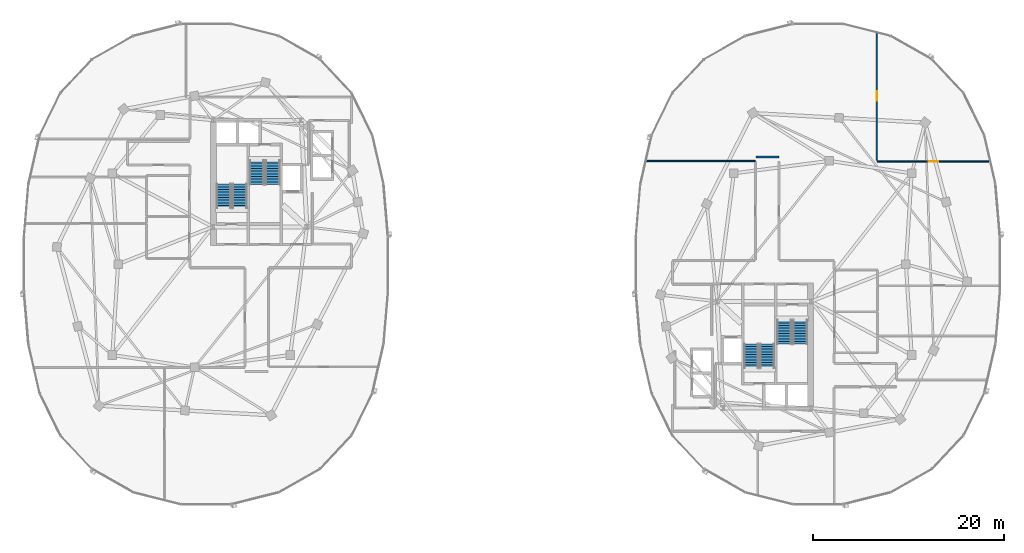
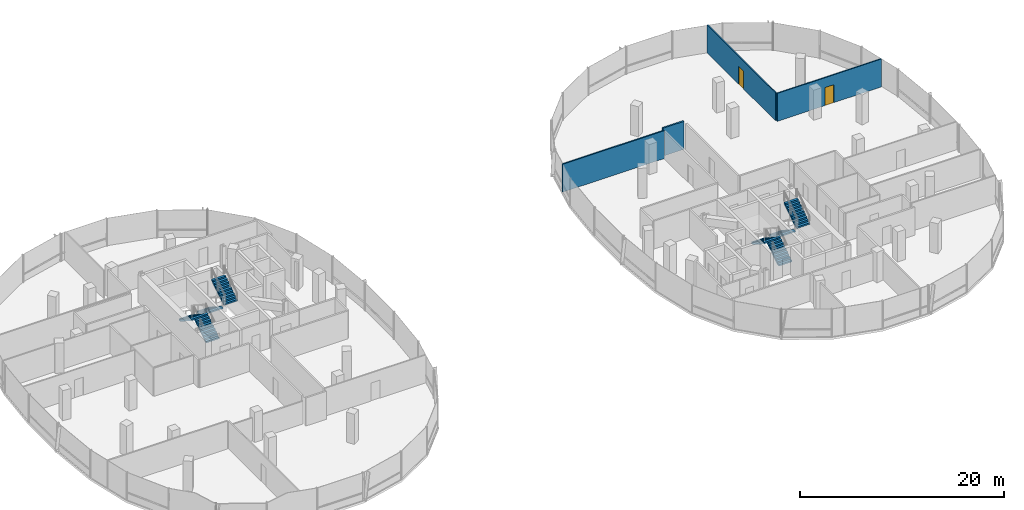
# One storey, part 18 of 25: 8 stair flights, 4 walls, 2 doors, 2 openings, 4 elements without a shape of their own.
"""IFC4 building model written with IfcOpenShell, lengths in metres."""

from ifc_helpers import new_model, si_unit, direction, frame, frame_2d, origin, place, context, subcontext, project, spatial, polyline, rectangle, outline, extrude, material, layer, layer_set, type_object, element, fill, aggregate, save


model = new_model("IFC4")

# Units and contexts
model_context = context("Model", 3, precision=1e-05, world=origin(), true_north=direction((0.0, 1.0)))
body_context = subcontext(model_context, "Body", "Model", "MODEL_VIEW")
ifc_project = project(units=[si_unit("LENGTHUNIT", "METRE"), si_unit("AREAUNIT", "SQUARE_METRE"), si_unit("VOLUMEUNIT", "CUBIC_METRE"), si_unit("PLANEANGLEUNIT", "RADIAN"), si_unit("MASSUNIT", "GRAM", prefix="KILO"), si_unit("THERMODYNAMICTEMPERATUREUNIT", "KELVIN"), si_unit("POWERUNIT", "WATT")], contexts=[model_context])

# Site, building, storey
site_placement = place(None, origin())
site = spatial("IfcSite", under=ifc_project, at=site_placement, CompositionType="ELEMENT")
building_placement = place(site_placement, origin())
building = spatial("IfcBuilding", under=site, at=building_placement, Name="Cundina Bronze Exchange", CompositionType="ELEMENT")
storey_placement = place(building_placement, frame((0.0, 0.0, 213.39990234375)))
storey = spatial("IfcBuildingStorey", under=building, at=storey_placement, Name="L56", CompositionType="ELEMENT", Elevation=213.39990234375)

# Wall
ifc_material_1 = material(Name="Gypsum Fireboard Partition EI120")
ifc_layer_1 = layer(ifc_material_1, 0.179931640625, Name="Gypsum Fireboard Partition EI120")
ifc_layer_set_1 = layer_set([ifc_layer_1], Name="Gypsum Fireboard Partition EI120")
wall_type_1 = type_object("IfcWallType", Name="WL-COR-180", PredefinedType="PARTITIONING", material=ifc_layer_set_1)
wall_1_placement = place(storey_placement, frame((27.87841796875, 11.219970703125, 0.0), z_axis=(0.0, 0.0, 1.0), x_axis=(-1.0, 0.0, 0.0)))
element("IfcWall", 1, at=wall_1_placement, inside=storey, type_object=wall_type_1, Name="L56 Interior Partition 073", PredefinedType="PARTITIONING", context=body_context, shape_type="SweptSolid", body=[
    extrude(rectangle(XDim=2.35693359375, YDim=0.179931640625, at=frame_2d((1.178466796875, 0.0))), origin(), (0.0, 0.0, 1.0), 3.340087890625),
])

# Wall, opening, door
ifc_material_2 = material(Name="Gypsum Acoustic Partition EI60")
ifc_layer_2 = layer(ifc_material_2, 0.125, Name="Gypsum Acoustic Partition EI60")
ifc_layer_set_2 = layer_set([ifc_layer_2], Name="Gypsum Acoustic Partition EI60")
wall_type_2 = type_object("IfcWallType", Name="WL-OFF-125", PredefinedType="PARTITIONING", material=ifc_layer_set_2)
wall_2_placement = place(storey_placement, frame((50.014892578125, 10.739990234375, 0.0), z_axis=(0.0, 0.0, 1.0), x_axis=(-1.0, 0.0, 0.0)))
wall_2 = element("IfcWall", 2, at=wall_2_placement, inside=storey, type_object=wall_type_2, Name="L56 Interior Partition 075", PredefinedType="PARTITIONING", context=body_context, shape_type="SweptSolid", body=[
    extrude(rectangle(XDim=11.824951171875, YDim=0.125, at=frame_2d((5.91259765625, 0.0))), origin(), (0.0, 0.0, 1.0), 3.340087890625),
])
opening_1_placement = place(wall_2_placement, frame((5.412353515625, 0.0, 0.0)))
opening_1 = element("IfcOpeningElement", 3, at=opening_1_placement, cuts=wall_2, Name="Opening DO-01", PredefinedType="OPENING", context=body_context, shape_type="SweptSolid", body=[
    extrude(rectangle(XDim=1.0, YDim=2.14990234375, at=frame_2d((0.5, 1.074951171875))), frame((0.0, 0.072509765625, 0.0), z_axis=(0.0, -1.0, 0.0), x_axis=(1.0, 0.0, 0.0)), (0.0, 0.0, 1.0), 0.14501953125),
])
ifc_material_3 = material(Name="Solid Andean Oak Timber Grade A", Category="wood")
door_type = type_object("IfcDoorType", Name="DR-OFF-1000", OperationType="NOTDEFINED", PredefinedType="DOOR", material=ifc_material_3)
door_1_placement = place(opening_1_placement, origin())
door_1 = element("IfcDoor", 4, at=door_1_placement, inside=storey, type_object=door_type, Name="L56 Interior Door 075", OperationType="SINGLE_SWING_RIGHT", OverallHeight=2.14990234375, OverallWidth=1.0, PredefinedType="DOOR", context=body_context, shape_type="SweptSolid", body=[
    extrude(rectangle(XDim=1.0, YDim=2.14990234375, at=frame_2d((0.5, 1.074951171875))), frame((0.0, 0.02490234375, 0.0), z_axis=(0.0, -1.0, 0.0), x_axis=(1.0, 0.0, 0.0)), (0.0, 0.0, 1.0), 0.050048828125),
])
fill(opening_1, door_1)

wall_3_placement = place(storey_placement, frame((38.14990234375, 24.28125, 0.0), z_axis=(0.0, 0.0, 1.0), x_axis=(0.0, -1.0, 0.0)))
wall_3 = element("IfcWall", 5, at=wall_3_placement, inside=storey, type_object=wall_type_2, Name="L56 Interior Partition 076", PredefinedType="PARTITIONING", context=body_context, shape_type="SweptSolid", body=[
    extrude(rectangle(XDim=13.4013671875, YDim=0.125, at=frame_2d((6.70068359375, 0.0))), origin(), (0.0, 0.0, 1.0), 3.340087890625),
])
opening_2_placement = place(wall_3_placement, frame((6.20068359375, 0.0, 0.0)))
opening_2 = element("IfcOpeningElement", 6, at=opening_2_placement, cuts=wall_3, Name="Opening DO-01", PredefinedType="OPENING", context=body_context, shape_type="SweptSolid", body=[
    extrude(rectangle(XDim=1.0, YDim=2.14990234375, at=frame_2d((0.5, 1.074951171875))), frame((0.0, 0.072509765625, 0.0), z_axis=(0.0, -1.0, 0.0), x_axis=(1.0, 0.0, 0.0)), (0.0, 0.0, 1.0), 0.14501953125),
])
door_2_placement = place(opening_2_placement, origin())
door_2 = element("IfcDoor", 7, at=door_2_placement, inside=storey, type_object=door_type, Name="L56 Interior Door 076", OperationType="SINGLE_SWING_LEFT", OverallHeight=2.14990234375, OverallWidth=1.0, PredefinedType="DOOR", context=body_context, shape_type="SweptSolid", body=[
    extrude(rectangle(XDim=1.0, YDim=2.14990234375, at=frame_2d((0.5, 1.074951171875))), frame((0.0, 0.02490234375, 0.0), z_axis=(0.0, -1.0, 0.0), x_axis=(1.0, 0.0, 0.0)), (0.0, 0.0, 1.0), 0.050048828125),
])
fill(opening_2, door_2)

# Wall
ifc_layer_3 = layer(ifc_material_2, 0.14990234375, Name="Gypsum Acoustic Partition EI60")
ifc_layer_set_3 = layer_set([ifc_layer_3], Name="Gypsum Acoustic Partition EI60")
wall_type_3 = type_object("IfcWallType", Name="WL-TEN-150", PredefinedType="PARTITIONING", material=ifc_layer_set_3)
wall_4_placement = place(storey_placement, frame((13.917724609375, 10.7900390625, 0.0), z_axis=(0.0, 0.0, 1.0), x_axis=(1.0, 0.0, 0.0)))
element("IfcWall", 8, at=wall_4_placement, inside=storey, type_object=wall_type_3, Name="L56 Interior Partition 053", PredefinedType="PARTITIONING", context=body_context, shape_type="SweptSolid", body=[
    extrude(rectangle(XDim=11.5322265625, YDim=0.14990234375, at=frame_2d((5.76611328125, 0.0))), origin(), (0.0, 0.0, 1.0), 3.340087890625),
])

# Stair, stair flights
ifc_material_4 = material(Name="Concrete C40/50", Category="concrete")
stair_type = type_object("IfcStairType", Name="STR-OFF-360", PredefinedType="HALF_TURN_STAIR", material=ifc_material_4)
stair_1_placement = place(storey_placement, origin())
stair_1 = element("IfcStair", 9, at=stair_1_placement, inside=storey, type_object=stair_type, Name="L56 Smokeproof Exit Stair W1", PredefinedType="HALF_TURN_STAIR")
stair_flight_type = type_object("IfcStairFlightType", Name="FLG-OFF-180", PredefinedType="STRAIGHT", material=ifc_material_4)
stair_flight_1_placement = place(storey_placement, frame((-28.489990234375, 5.85009765625, 0.0), z_axis=(0.0, 0.0, 1.0), x_axis=(0.0, 1.0, 0.0)))
stair_flight_1 = element("IfcStairFlight", 10, at=stair_flight_1_placement, type_object=stair_flight_type, Name="ST-W1 flight 1", NumberOfRisers=10, NumberOfTreads=9, PredefinedType="STRAIGHT", RiserHeight=0.18, TreadLength=0.28, context=body_context, shape_type="SweptSolid", body=[
    extrude(outline(polyline([(0.0, 0.0), (0.0, 0.179931640625), (0.280029296875, 0.179931640625), (0.280029296875, 0.360107421875), (0.56005859375, 0.360107421875), (0.56005859375, 0.5400390625), (0.840087890625, 0.5400390625), (0.840087890625, 0.719970703125), (1.1201171875, 0.719970703125), (1.1201171875, 0.89990234375), (1.39990234375, 0.89990234375), (1.39990234375, 1.080078125), (1.679931640625, 1.080078125), (1.679931640625, 1.260009765625), (1.9599609375, 1.260009765625), (1.9599609375, 1.43994140625), (2.239990234375, 1.43994140625), (2.239990234375, 1.6201171875), (2.52001953125, 1.6201171875), (2.52001953125, 1.800048828125), (2.52001953125, 1.44189453125), (0.277099609375, 0.0), (0.0, 0.0)])), frame((0.0, 0.75, 0.0), z_axis=(0.0, -1.0, 0.0), x_axis=(1.0, 0.0, 0.0)), (0.0, 0.0, 1.0), 1.5),
])
stair_flight_2_placement = place(storey_placement, frame((-30.14990234375, 8.3701171875, 1.800048828125), z_axis=(0.0, 0.0, 1.0), x_axis=(0.0, -1.0, 0.0)))
stair_flight_2 = element("IfcStairFlight", 11, at=stair_flight_2_placement, type_object=stair_flight_type, Name="ST-W1 flight 2", NumberOfRisers=10, NumberOfTreads=9, PredefinedType="STRAIGHT", RiserHeight=0.18, TreadLength=0.28, context=body_context, shape_type="SweptSolid", body=[
    extrude(outline(polyline([(0.0, 0.0), (0.0, 0.179931640625), (0.280029296875, 0.179931640625), (0.280029296875, 0.360107421875), (0.56005859375, 0.360107421875), (0.56005859375, 0.5400390625), (0.840087890625, 0.5400390625), (0.840087890625, 0.719970703125), (1.1201171875, 0.719970703125), (1.1201171875, 0.89990234375), (1.39990234375, 0.89990234375), (1.39990234375, 1.080078125), (1.679931640625, 1.080078125), (1.679931640625, 1.260009765625), (1.9599609375, 1.260009765625), (1.9599609375, 1.43994140625), (2.239990234375, 1.43994140625), (2.239990234375, 1.6201171875), (2.52001953125, 1.6201171875), (2.52001953125, 1.800048828125), (2.52001953125, 1.44189453125), (0.277099609375, 0.0), (0.0, 0.0)])), frame((0.0, 0.75, 0.0), z_axis=(0.0, -1.0, 0.0), x_axis=(1.0, 0.0, 0.0)), (0.0, 0.0, 1.0), 1.5),
])
aggregate(stair_1, [stair_flight_1, stair_flight_2])

stair_2_placement = place(storey_placement, origin())
stair_2 = element("IfcStair", 12, at=stair_2_placement, inside=storey, type_object=stair_type, Name="L56 Smokeproof Exit Stair W2", PredefinedType="HALF_TURN_STAIR")
stair_flight_3_placement = place(storey_placement, frame((-26.68994140625, 10.85009765625, 0.0), z_axis=(0.0, 0.0, 1.0), x_axis=(0.0, -1.0, 0.0)))
stair_flight_3 = element("IfcStairFlight", 13, at=stair_flight_3_placement, type_object=stair_flight_type, Name="ST-W2 flight 1", NumberOfRisers=10, NumberOfTreads=9, PredefinedType="STRAIGHT", RiserHeight=0.18, TreadLength=0.28, context=body_context, shape_type="SweptSolid", body=[
    extrude(outline(polyline([(0.0, 0.0), (0.0, 0.179931640625), (0.280029296875, 0.179931640625), (0.280029296875, 0.360107421875), (0.56005859375, 0.360107421875), (0.56005859375, 0.5400390625), (0.840087890625, 0.5400390625), (0.840087890625, 0.719970703125), (1.1201171875, 0.719970703125), (1.1201171875, 0.89990234375), (1.39990234375, 0.89990234375), (1.39990234375, 1.080078125), (1.679931640625, 1.080078125), (1.679931640625, 1.260009765625), (1.9599609375, 1.260009765625), (1.9599609375, 1.43994140625), (2.239990234375, 1.43994140625), (2.239990234375, 1.6201171875), (2.52001953125, 1.6201171875), (2.52001953125, 1.800048828125), (2.52001953125, 1.44189453125), (0.277099609375, 0.0), (0.0, 0.0)])), frame((0.0, 0.75, 0.0), z_axis=(0.0, -1.0, 0.0), x_axis=(1.0, 0.0, 0.0)), (0.0, 0.0, 1.0), 1.5),
])
stair_flight_4_placement = place(storey_placement, frame((-25.030029296875, 8.330078125, 1.800048828125), z_axis=(0.0, 0.0, 1.0), x_axis=(0.0, 1.0, 0.0)))
stair_flight_4 = element("IfcStairFlight", 14, at=stair_flight_4_placement, type_object=stair_flight_type, Name="ST-W2 flight 2", NumberOfRisers=10, NumberOfTreads=9, PredefinedType="STRAIGHT", RiserHeight=0.18, TreadLength=0.28, context=body_context, shape_type="SweptSolid", body=[
    extrude(outline(polyline([(0.0, 0.0), (0.0, 0.179931640625), (0.280029296875, 0.179931640625), (0.280029296875, 0.360107421875), (0.56005859375, 0.360107421875), (0.56005859375, 0.5400390625), (0.840087890625, 0.5400390625), (0.840087890625, 0.719970703125), (1.1201171875, 0.719970703125), (1.1201171875, 0.89990234375), (1.39990234375, 0.89990234375), (1.39990234375, 1.080078125), (1.679931640625, 1.080078125), (1.679931640625, 1.260009765625), (1.9599609375, 1.260009765625), (1.9599609375, 1.43994140625), (2.239990234375, 1.43994140625), (2.239990234375, 1.6201171875), (2.52001953125, 1.6201171875), (2.52001953125, 1.800048828125), (2.52001953125, 1.44189453125), (0.277099609375, 0.0), (0.0, 0.0)])), frame((0.0, 0.75, 0.0), z_axis=(0.0, -1.0, 0.0), x_axis=(1.0, 0.0, 0.0)), (0.0, 0.0, 1.0), 1.5),
])
aggregate(stair_2, [stair_flight_3, stair_flight_4])

stair_3_placement = place(storey_placement, origin())
stair_3 = element("IfcStair", 15, at=stair_3_placement, inside=storey, type_object=stair_type, Name="L56 Smokeproof Exit Stair E1", PredefinedType="HALF_TURN_STAIR")
stair_flight_5_placement = place(storey_placement, frame((28.489990234375, -5.85009765625, 0.0), z_axis=(0.0, 0.0, 1.0), x_axis=(0.0, -1.0, 0.0)))
stair_flight_5 = element("IfcStairFlight", 16, at=stair_flight_5_placement, type_object=stair_flight_type, Name="ST-E1 flight 1", NumberOfRisers=10, NumberOfTreads=9, PredefinedType="STRAIGHT", RiserHeight=0.18, TreadLength=0.28, context=body_context, shape_type="SweptSolid", body=[
    extrude(outline(polyline([(0.0, 0.0), (0.0, 0.179931640625), (0.280029296875, 0.179931640625), (0.280029296875, 0.360107421875), (0.56005859375, 0.360107421875), (0.56005859375, 0.5400390625), (0.840087890625, 0.5400390625), (0.840087890625, 0.719970703125), (1.1201171875, 0.719970703125), (1.1201171875, 0.89990234375), (1.39990234375, 0.89990234375), (1.39990234375, 1.080078125), (1.679931640625, 1.080078125), (1.679931640625, 1.260009765625), (1.9599609375, 1.260009765625), (1.9599609375, 1.43994140625), (2.239990234375, 1.43994140625), (2.239990234375, 1.6201171875), (2.52001953125, 1.6201171875), (2.52001953125, 1.800048828125), (2.52001953125, 1.44189453125), (0.277099609375, 0.0), (0.0, 0.0)])), frame((0.0, 0.75, 0.0), z_axis=(0.0, -1.0, 0.0), x_axis=(1.0, 0.0, 0.0)), (0.0, 0.0, 1.0), 1.5),
])
stair_flight_6_placement = place(storey_placement, frame((30.14990234375, -8.3701171875, 1.800048828125), z_axis=(0.0, 0.0, 1.0), x_axis=(0.0, 1.0, 0.0)))
stair_flight_6 = element("IfcStairFlight", 17, at=stair_flight_6_placement, type_object=stair_flight_type, Name="ST-E1 flight 2", NumberOfRisers=10, NumberOfTreads=9, PredefinedType="STRAIGHT", RiserHeight=0.18, TreadLength=0.28, context=body_context, shape_type="SweptSolid", body=[
    extrude(outline(polyline([(0.0, 0.0), (0.0, 0.179931640625), (0.280029296875, 0.179931640625), (0.280029296875, 0.360107421875), (0.56005859375, 0.360107421875), (0.56005859375, 0.5400390625), (0.840087890625, 0.5400390625), (0.840087890625, 0.719970703125), (1.1201171875, 0.719970703125), (1.1201171875, 0.89990234375), (1.39990234375, 0.89990234375), (1.39990234375, 1.080078125), (1.679931640625, 1.080078125), (1.679931640625, 1.260009765625), (1.9599609375, 1.260009765625), (1.9599609375, 1.43994140625), (2.239990234375, 1.43994140625), (2.239990234375, 1.6201171875), (2.52001953125, 1.6201171875), (2.52001953125, 1.800048828125), (2.52001953125, 1.44189453125), (0.277099609375, 0.0), (0.0, 0.0)])), frame((0.0, 0.75, 0.0), z_axis=(0.0, -1.0, 0.0), x_axis=(1.0, 0.0, 0.0)), (0.0, 0.0, 1.0), 1.5),
])
aggregate(stair_3, [stair_flight_5, stair_flight_6])

stair_4_placement = place(storey_placement, origin())
stair_4 = element("IfcStair", 18, at=stair_4_placement, inside=storey, type_object=stair_type, Name="L56 Smokeproof Exit Stair E2", PredefinedType="HALF_TURN_STAIR")
stair_flight_7_placement = place(storey_placement, frame((26.68994140625, -10.85009765625, 0.0), z_axis=(0.0, 0.0, 1.0), x_axis=(0.0, 1.0, 0.0)))
stair_flight_7 = element("IfcStairFlight", 19, at=stair_flight_7_placement, type_object=stair_flight_type, Name="ST-E2 flight 1", NumberOfRisers=10, NumberOfTreads=9, PredefinedType="STRAIGHT", RiserHeight=0.18, TreadLength=0.28, context=body_context, shape_type="SweptSolid", body=[
    extrude(outline(polyline([(0.0, 0.0), (0.0, 0.179931640625), (0.280029296875, 0.179931640625), (0.280029296875, 0.360107421875), (0.56005859375, 0.360107421875), (0.56005859375, 0.5400390625), (0.840087890625, 0.5400390625), (0.840087890625, 0.719970703125), (1.1201171875, 0.719970703125), (1.1201171875, 0.89990234375), (1.39990234375, 0.89990234375), (1.39990234375, 1.080078125), (1.679931640625, 1.080078125), (1.679931640625, 1.260009765625), (1.9599609375, 1.260009765625), (1.9599609375, 1.43994140625), (2.239990234375, 1.43994140625), (2.239990234375, 1.6201171875), (2.52001953125, 1.6201171875), (2.52001953125, 1.800048828125), (2.52001953125, 1.44189453125), (0.277099609375, 0.0), (0.0, 0.0)])), frame((0.0, 0.75, 0.0), z_axis=(0.0, -1.0, 0.0), x_axis=(1.0, 0.0, 0.0)), (0.0, 0.0, 1.0), 1.5),
])
stair_flight_8_placement = place(storey_placement, frame((25.030029296875, -8.330078125, 1.800048828125), z_axis=(0.0, 0.0, 1.0), x_axis=(0.0, -1.0, 0.0)))
stair_flight_8 = element("IfcStairFlight", 20, at=stair_flight_8_placement, type_object=stair_flight_type, Name="ST-E2 flight 2", NumberOfRisers=10, NumberOfTreads=9, PredefinedType="STRAIGHT", RiserHeight=0.18, TreadLength=0.28, context=body_context, shape_type="SweptSolid", body=[
    extrude(outline(polyline([(0.0, 0.0), (0.0, 0.179931640625), (0.280029296875, 0.179931640625), (0.280029296875, 0.360107421875), (0.56005859375, 0.360107421875), (0.56005859375, 0.5400390625), (0.840087890625, 0.5400390625), (0.840087890625, 0.719970703125), (1.1201171875, 0.719970703125), (1.1201171875, 0.89990234375), (1.39990234375, 0.89990234375), (1.39990234375, 1.080078125), (1.679931640625, 1.080078125), (1.679931640625, 1.260009765625), (1.9599609375, 1.260009765625), (1.9599609375, 1.43994140625), (2.239990234375, 1.43994140625), (2.239990234375, 1.6201171875), (2.52001953125, 1.6201171875), (2.52001953125, 1.800048828125), (2.52001953125, 1.44189453125), (0.277099609375, 0.0), (0.0, 0.0)])), frame((0.0, 0.75, 0.0), z_axis=(0.0, -1.0, 0.0), x_axis=(1.0, 0.0, 0.0)), (0.0, 0.0, 1.0), 1.5),
])
aggregate(stair_4, [stair_flight_7, stair_flight_8])

save(model, "model.ifc")
